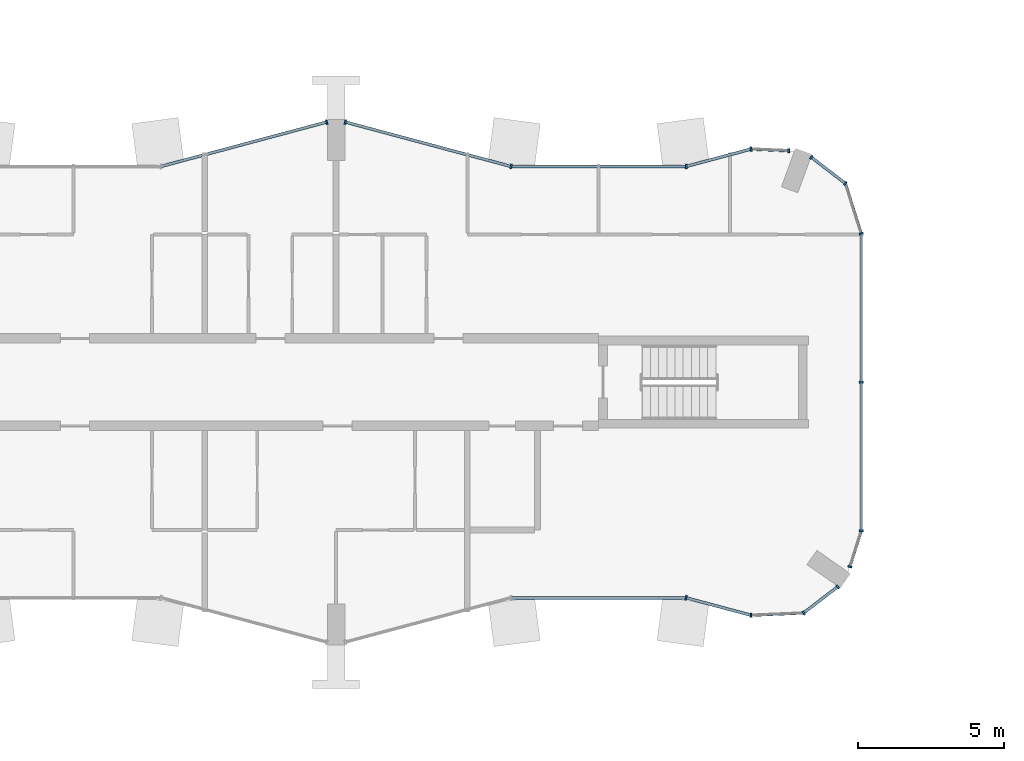
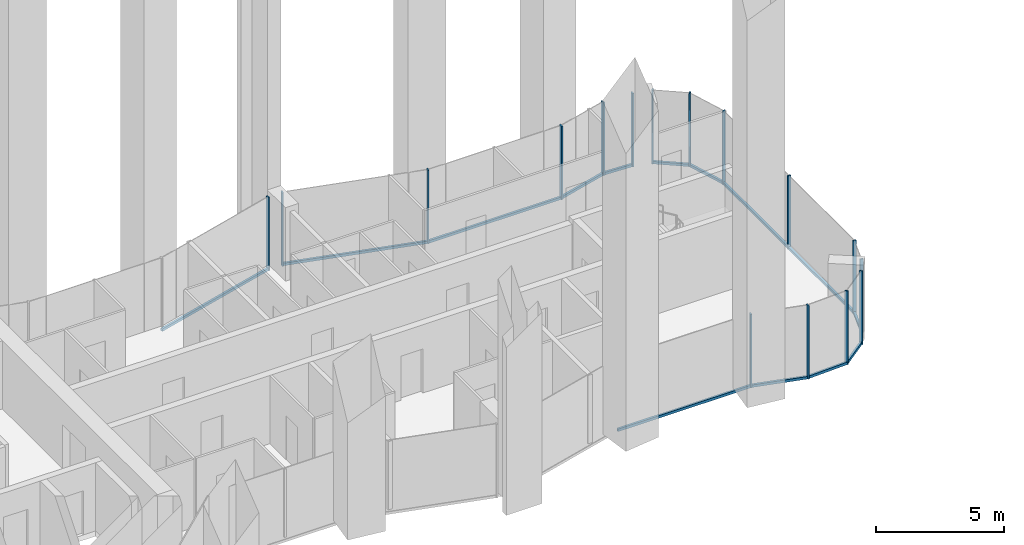
# One storey, part 5 of 27: 29 members, 13 elements without a shape of their own.
"""IFC4 building model written with IfcOpenShell, lengths in metres."""

from ifc_helpers import new_model, si_unit, direction, frame, origin, origin_2d, place, context, subcontext, project, spatial, rectangle, extrude, material, layer, layer_set, material_profile, profile_set, type_object, element, aggregate, save


model = new_model("IFC4")

# Units and contexts
model_context = context("Model", 3, precision=1e-05, world=origin(), true_north=direction((0.0, 1.0)))
body_context = subcontext(model_context, "Body", "Model", "MODEL_VIEW")
ifc_project = project(units=[si_unit("LENGTHUNIT", "METRE"), si_unit("AREAUNIT", "SQUARE_METRE"), si_unit("VOLUMEUNIT", "CUBIC_METRE"), si_unit("PLANEANGLEUNIT", "RADIAN"), si_unit("MASSUNIT", "GRAM", prefix="KILO")], contexts=[model_context])

# Site, building, storey
site_placement = place(None, origin())
site = spatial("IfcSite", under=ifc_project, at=site_placement, CompositionType="ELEMENT")
building_placement = place(site_placement, origin())
building = spatial("IfcBuilding", under=site, at=building_placement, Name="Plateau Cross Towers", CompositionType="ELEMENT")
storey_placement = place(building_placement, frame((0.0, 0.0, 78.300048828125)))
storey = spatial("IfcBuildingStorey", under=building, at=storey_placement, Name="L19", CompositionType="ELEMENT", Elevation=78.300048828125)

# Curtain wall, member
ifc_material_1 = material(Name="Dark low-iron glass", Category="glass")
ifc_layer_1 = layer(ifc_material_1, 0.239990234375)
ifc_layer_set_1 = layer_set([ifc_layer_1], Name="Dark low-iron glass")
curtain_wall_type_1 = type_object("IfcCurtainWallType", Name="Curtain wall flush unitised CW-B", PredefinedType="NOTDEFINED", material=ifc_layer_set_1)
curtain_wall_1_placement = place(storey_placement, origin())
curtain_wall_1 = element("IfcCurtainWall", 1, at=curtain_wall_1_placement, inside=storey, type_object=curtain_wall_type_1, Name="ENV/A/L19/A502_10", PredefinedType="NOTDEFINED")
ifc_material_2 = material(Name="Black anodised aluminium", Category="aluminium")
ifc_material_profile_1 = material_profile(ifc_material_2, rectangle(XDim=0.06005859375, YDim=0.139892578125, at=origin_2d()), Name="MULLION 60x140")
ifc_profile_set_1 = profile_set([ifc_material_profile_1], Name="Black anodised aluminium")
member_type_1 = type_object("IfcMemberType", Name="Mullion 60x140 flush unitised", PredefinedType="MULLION", material=ifc_profile_set_1)
member_1_placement = place(storey_placement, frame((50.223876953125, 1.01123046875, -0.25), z_axis=(0.0, 0.0, 1.0), x_axis=(0.999043701491, 0.043722791671, 0.0)))
member_1 = element("IfcMember", 2, at=member_1_placement, type_object=member_type_1, Name="CW-B mullion 1", PredefinedType="MULLION", context=body_context, shape_type="SweptSolid", body=[
    extrude(rectangle(XDim=0.06005859375, YDim=0.139892578125, at=origin_2d()), origin(), (0.0, 0.0, 1.0), 3.5),
])

# Curtain wall, members
curtain_wall_2_placement = place(storey_placement, origin())
curtain_wall_2 = element("IfcCurtainWall", 3, at=curtain_wall_2_placement, inside=storey, type_object=curtain_wall_type_1, Name="ENV/A/L19/A520_11", PredefinedType="NOTDEFINED")
member_2_placement = place(storey_placement, frame((52.0263671875, 1.090087890625, -0.25), z_axis=(0.0, 0.0, 1.0), x_axis=(0.793315514529, 0.608810721331, 0.0)))
member_2 = element("IfcMember", 4, at=member_2_placement, type_object=member_type_1, Name="CW-B mullion 1", PredefinedType="MULLION", context=body_context, shape_type="SweptSolid", body=[
    extrude(rectangle(XDim=0.06005859375, YDim=0.139892578125, at=origin_2d()), origin(), (0.0, 0.0, 1.0), 3.5),
])
member_3_placement = place(storey_placement, frame((53.193603515625, 1.986083984375, -0.25), z_axis=(0.0, 0.0, 1.0), x_axis=(0.793315514529, 0.608810721331, 0.0)))
member_3 = element("IfcMember", 5, at=member_3_placement, type_object=member_type_1, Name="CW-B mullion 2", PredefinedType="MULLION", context=body_context, shape_type="SweptSolid", body=[
    extrude(rectangle(XDim=0.06005859375, YDim=0.139892578125, at=origin_2d()), origin(), (0.0, 0.0, 1.0), 3.5),
])

# Curtain wall, member
curtain_wall_3_placement = place(storey_placement, origin())
curtain_wall_3 = element("IfcCurtainWall", 6, at=curtain_wall_3_placement, inside=storey, type_object=curtain_wall_type_1, Name="ENV/A/L19/A536_27", PredefinedType="NOTDEFINED")
member_4_placement = place(storey_placement, frame((53.611083984375, 2.67529296875, -0.25), z_axis=(0.0, 0.0, 1.0), x_axis=(0.300686174994, 0.95372313811, 0.0)))
member_4 = element("IfcMember", 7, at=member_4_placement, type_object=member_type_1, Name="CW-B mullion 1", PredefinedType="MULLION", context=body_context, shape_type="SweptSolid", body=[
    extrude(rectangle(XDim=0.06005859375, YDim=0.139892578125, at=origin_2d()), origin(), (0.0, 0.0, 1.0), 3.5),
])

# Curtain wall, members
curtain_wall_4_placement = place(storey_placement, origin())
curtain_wall_4 = element("IfcCurtainWall", 8, at=curtain_wall_4_placement, inside=storey, type_object=curtain_wall_type_1, Name="ENV/A/L19/A540_39", PredefinedType="NOTDEFINED")
member_5_placement = place(storey_placement, frame((54.0, 3.9091796875, -0.25), z_axis=(0.0, 0.0, 1.0), x_axis=(0.0, 1.0, 0.0)))
member_5 = element("IfcMember", 9, at=member_5_placement, type_object=member_type_1, Name="CW-B mullion 1", PredefinedType="MULLION", context=body_context, shape_type="SweptSolid", body=[
    extrude(rectangle(XDim=0.06005859375, YDim=0.139892578125, at=origin_2d()), origin(), (0.0, 0.0, 1.0), 3.5),
])
member_6_placement = place(storey_placement, frame((54.0, 9.0, -0.25), z_axis=(0.0, 0.0, 1.0), x_axis=(0.0, 1.0, 0.0)))
member_6 = element("IfcMember", 10, at=member_6_placement, type_object=member_type_1, Name="CW-B mullion 2", PredefinedType="MULLION", context=body_context, shape_type="SweptSolid", body=[
    extrude(rectangle(XDim=0.06005859375, YDim=0.139892578125, at=origin_2d()), origin(), (0.0, 0.0, 1.0), 3.5),
])

# Curtain wall, member
curtain_wall_5_placement = place(storey_placement, origin())
curtain_wall_5 = element("IfcCurtainWall", 11, at=curtain_wall_5_placement, inside=storey, type_object=curtain_wall_type_1, Name="ENV/A/L19/A540_141", PredefinedType="NOTDEFINED")
member_7_placement = place(storey_placement, frame((54.0, 14.0908203125, -0.25), z_axis=(0.0, 0.0, 1.0), x_axis=(-0.300686174994, 0.95372313811, 0.0)))
member_7 = element("IfcMember", 12, at=member_7_placement, type_object=member_type_1, Name="CW-B mullion 1", PredefinedType="MULLION", context=body_context, shape_type="SweptSolid", body=[
    extrude(rectangle(XDim=0.06005859375, YDim=0.139892578125, at=origin_2d()), origin(), (0.0, 0.0, 1.0), 3.5),
])

# Curtain wall, members
curtain_wall_6_placement = place(storey_placement, origin())
curtain_wall_6 = element("IfcCurtainWall", 13, at=curtain_wall_6_placement, inside=storey, type_object=curtain_wall_type_1, Name="ENV/A/L19/A535_158", PredefinedType="NOTDEFINED")
member_8_placement = place(storey_placement, frame((53.45751953125, 15.8115234375, -0.25), z_axis=(0.0, 0.0, 1.0), x_axis=(-0.793315514529, 0.608810721331, 0.0)))
member_8 = element("IfcMember", 14, at=member_8_placement, type_object=member_type_1, Name="CW-B mullion 1", PredefinedType="MULLION", context=body_context, shape_type="SweptSolid", body=[
    extrude(rectangle(XDim=0.06005859375, YDim=0.139892578125, at=origin_2d()), origin(), (0.0, 0.0, 1.0), 3.5),
])
member_9_placement = place(storey_placement, frame((52.290283203125, 16.707275390625, -0.25), z_axis=(0.0, 0.0, 1.0), x_axis=(-0.793315514529, 0.608810721331, 0.0)))
member_9 = element("IfcMember", 15, at=member_9_placement, type_object=member_type_1, Name="CW-B mullion 2", PredefinedType="MULLION", context=body_context, shape_type="SweptSolid", body=[
    extrude(rectangle(XDim=0.06005859375, YDim=0.139892578125, at=origin_2d()), origin(), (0.0, 0.0, 1.0), 3.5),
])

# Curtain wall, member
curtain_wall_7_placement = place(storey_placement, origin())
curtain_wall_7 = element("IfcCurtainWall", 16, at=curtain_wall_7_placement, inside=storey, type_object=curtain_wall_type_1, Name="ENV/A/L19/A515_169", PredefinedType="NOTDEFINED")
member_10_placement = place(storey_placement, frame((51.516357421875, 16.93212890625, -0.25), z_axis=(0.0, 0.0, 1.0), x_axis=(-0.999043701491, 0.043722791671, 0.0)))
member_10 = element("IfcMember", 17, at=member_10_placement, type_object=member_type_1, Name="CW-B mullion 1", PredefinedType="MULLION", context=body_context, shape_type="SweptSolid", body=[
    extrude(rectangle(XDim=0.06005859375, YDim=0.139892578125, at=origin_2d()), origin(), (0.0, 0.0, 1.0), 3.5),
])

ifc_layer_2 = layer(ifc_material_1, 0.260009765625)
ifc_layer_set_2 = layer_set([ifc_layer_2], Name="Dark low-iron glass")
curtain_wall_type_2 = type_object("IfcCurtainWallType", Name="Curtain wall fluted unitised CW-A", PredefinedType="NOTDEFINED", material=ifc_layer_set_2)
curtain_wall_8_placement = place(storey_placement, origin())
curtain_wall_8 = element("IfcCurtainWall", 18, at=curtain_wall_8_placement, inside=storey, type_object=curtain_wall_type_2, Name="ENV/A/L19/A480_16", PredefinedType="NOTDEFINED")
ifc_material_profile_2 = material_profile(ifc_material_2, rectangle(XDim=0.06005859375, YDim=0.159912109375, at=origin_2d()), Name="MULLION 60x160")
ifc_profile_set_2 = profile_set([ifc_material_profile_2], Name="Black anodised aluminium")
member_type_2 = type_object("IfcMemberType", Name="Mullion 60x160 fluted unitised", PredefinedType="MULLION", material=ifc_profile_set_2)
member_11_placement = place(storey_placement, frame((48.0, 1.60693359375, -0.25), z_axis=(0.0, 0.0, 1.0), x_axis=(0.965957962328, -0.258699081978, 0.0)))
member_11 = element("IfcMember", 19, at=member_11_placement, type_object=member_type_2, Name="CW-A mullion 1", PredefinedType="MULLION", context=body_context, shape_type="SweptSolid", body=[
    extrude(rectangle(XDim=0.06005859375, YDim=0.159912109375, at=origin_2d()), origin(), (0.0, 0.0, 1.0), 3.5),
])

curtain_wall_9_placement = place(storey_placement, origin())
curtain_wall_9 = element("IfcCurtainWall", 20, at=curtain_wall_9_placement, inside=storey, type_object=curtain_wall_type_2, Name="ENV/A/L19/A502_170", PredefinedType="NOTDEFINED")
member_12_placement = place(storey_placement, frame((50.223876953125, 16.98876953125, -0.25), z_axis=(0.0, 0.0, 1.0), x_axis=(-0.965957962328, -0.258699081978, 0.0)))
member_12 = element("IfcMember", 21, at=member_12_placement, type_object=member_type_2, Name="CW-A mullion 1", PredefinedType="MULLION", context=body_context, shape_type="SweptSolid", body=[
    extrude(rectangle(XDim=0.06005859375, YDim=0.159912109375, at=origin_2d()), origin(), (0.0, 0.0, 1.0), 3.5),
])

curtain_wall_10_placement = place(storey_placement, origin())
curtain_wall_10 = element("IfcCurtainWall", 22, at=curtain_wall_10_placement, inside=storey, type_object=curtain_wall_type_2, Name="ENV/A/L19/A480_164", PredefinedType="NOTDEFINED")
member_13_placement = place(storey_placement, frame((48.0, 16.39306640625, -0.25), z_axis=(0.0, 0.0, 1.0), x_axis=(-1.0, 0.0, 0.0)))
member_13 = element("IfcMember", 23, at=member_13_placement, type_object=member_type_2, Name="CW-A mullion 1", PredefinedType="MULLION", context=body_context, shape_type="SweptSolid", body=[
    extrude(rectangle(XDim=0.06005859375, YDim=0.159912109375, at=origin_2d()), origin(), (0.0, 0.0, 1.0), 3.5),
])

# Curtain wall, members
curtain_wall_11_placement = place(storey_placement, origin())
curtain_wall_11 = element("IfcCurtainWall", 24, at=curtain_wall_11_placement, inside=storey, type_object=curtain_wall_type_2, Name="ENV/A/L19/A420_164", PredefinedType="NOTDEFINED")
member_14_placement = place(storey_placement, frame((42.0, 16.39306640625, -0.25), z_axis=(0.0, 0.0, 1.0), x_axis=(-0.965957983404, 0.258699003279, 0.0)))
member_14 = element("IfcMember", 25, at=member_14_placement, type_object=member_type_2, Name="CW-A mullion 1", PredefinedType="MULLION", context=body_context, shape_type="SweptSolid", body=[
    extrude(rectangle(XDim=0.06005859375, YDim=0.159912109375, at=origin_2d()), origin(), (0.0, 0.0, 1.0), 3.5),
])
member_15_placement = place(storey_placement, frame((36.31787109375, 17.914794921875, -0.25), z_axis=(0.0, 0.0, 1.0), x_axis=(-0.965957983404, 0.258699003279, 0.0)))
member_15 = element("IfcMember", 26, at=member_15_placement, type_object=member_type_2, Name="CW-A mullion 2", PredefinedType="MULLION", context=body_context, shape_type="SweptSolid", body=[
    extrude(rectangle(XDim=0.06005859375, YDim=0.159912109375, at=origin_2d()), origin(), (0.0, 0.0, 1.0), 3.5),
])

# Curtain wall, member
curtain_wall_12_placement = place(storey_placement, origin())
curtain_wall_12 = element("IfcCurtainWall", 27, at=curtain_wall_12_placement, inside=storey, type_object=curtain_wall_type_2, Name="ENV/A/L19/A357_179", PredefinedType="NOTDEFINED")
member_16_placement = place(storey_placement, frame((35.68212890625, 17.914794921875, -0.25), z_axis=(0.0, 0.0, 1.0), x_axis=(-0.965957983404, -0.258699003279, 0.0)))
member_16 = element("IfcMember", 28, at=member_16_placement, type_object=member_type_2, Name="CW-A mullion 1", PredefinedType="MULLION", context=body_context, shape_type="SweptSolid", body=[
    extrude(rectangle(XDim=0.06005859375, YDim=0.159912109375, at=origin_2d()), origin(), (0.0, 0.0, 1.0), 3.5),
])

# Member
ifc_material_profile_3 = material_profile(ifc_material_2, rectangle(XDim=0.10009765625, YDim=0.1201171875, at=origin_2d()), Name="TRANSOM 100x120")
ifc_profile_set_3 = profile_set([ifc_material_profile_3], Name="Black anodised aluminium")
member_type_3 = type_object("IfcMemberType", Name="Transom 100x120 flush unitised", PredefinedType="USERDEFINED", material=ifc_profile_set_3)
member_17_placement = place(storey_placement, frame((50.223876953125, 1.01123046875, -0.18994140625), z_axis=(0.999044377355, 0.043707345779, 0.0), x_axis=(-0.043707345779, 0.999044377355, 0.0)))
member_17 = element("IfcMember", 29, at=member_17_placement, type_object=member_type_3, Name="CW-B transom", ObjectType="TRANSOM", PredefinedType="USERDEFINED", context=body_context, shape_type="SweptSolid", body=[
    extrude(rectangle(XDim=0.10009765625, YDim=0.1201171875, at=origin_2d()), origin(), (0.0, 0.0, 1.0), 1.80419921875),
])

aggregate(curtain_wall_1, [member_1, member_17])

member_18_placement = place(storey_placement, frame((52.0263671875, 1.090087890625, -0.18994140625), z_axis=(0.793240368515, 0.608908628415, 0.0), x_axis=(-0.608908628415, 0.793240368515, 0.0)))
member_18 = element("IfcMember", 30, at=member_18_placement, type_object=member_type_3, Name="CW-B transom", ObjectType="TRANSOM", PredefinedType="USERDEFINED", context=body_context, shape_type="SweptSolid", body=[
    extrude(rectangle(XDim=0.10009765625, YDim=0.1201171875, at=origin_2d()), origin(), (0.0, 0.0, 1.0), 1.471435546875),
])

aggregate(curtain_wall_2, [member_2, member_3, member_18])

member_19_placement = place(storey_placement, frame((53.611083984375, 2.67529296875, -0.18994140625), z_axis=(0.300616528216, 0.953745093284, 0.0), x_axis=(-0.953745093284, 0.300616528216, 0.0)))
member_19 = element("IfcMember", 31, at=member_19_placement, type_object=member_type_3, Name="CW-B transom", ObjectType="TRANSOM", PredefinedType="USERDEFINED", context=body_context, shape_type="SweptSolid", body=[
    extrude(rectangle(XDim=0.10009765625, YDim=0.1201171875, at=origin_2d()), origin(), (0.0, 0.0, 1.0), 1.293701171875),
])

aggregate(curtain_wall_3, [member_4, member_19])

member_20_placement = place(storey_placement, frame((54.0, 3.9091796875, -0.18994140625), z_axis=(0.0, 1.0, 0.0), x_axis=(-1.0, 0.0, 0.0)))
member_20 = element("IfcMember", 32, at=member_20_placement, type_object=member_type_3, Name="CW-B transom", ObjectType="TRANSOM", PredefinedType="USERDEFINED", context=body_context, shape_type="SweptSolid", body=[
    extrude(rectangle(XDim=0.10009765625, YDim=0.1201171875, at=origin_2d()), origin(), (0.0, 0.0, 1.0), 10.181640625),
])

aggregate(curtain_wall_4, [member_5, member_6, member_20])

member_21_placement = place(storey_placement, frame((54.0, 14.0908203125, -0.18994140625), z_axis=(-0.30067799945, 0.953725715626, 0.0), x_axis=(-0.953725715626, -0.30067799945, 0.0)))
member_21 = element("IfcMember", 33, at=member_21_placement, type_object=member_type_3, Name="CW-B transom", ObjectType="TRANSOM", PredefinedType="USERDEFINED", context=body_context, shape_type="SweptSolid", body=[
    extrude(rectangle(XDim=0.10009765625, YDim=0.1201171875, at=origin_2d()), origin(), (0.0, 0.0, 1.0), 1.80419921875),
])

aggregate(curtain_wall_5, [member_7, member_21])

member_22_placement = place(storey_placement, frame((53.45751953125, 15.8115234375, -0.18994140625), z_axis=(-0.793320508571, 0.608804213751, 0.0), x_axis=(-0.608804213751, -0.793320508571, 0.0)))
member_22 = element("IfcMember", 34, at=member_22_placement, type_object=member_type_3, Name="CW-B transom", ObjectType="TRANSOM", PredefinedType="USERDEFINED", context=body_context, shape_type="SweptSolid", body=[
    extrude(rectangle(XDim=0.10009765625, YDim=0.1201171875, at=origin_2d()), origin(), (0.0, 0.0, 1.0), 1.471435546875),
])

aggregate(curtain_wall_6, [member_8, member_9, member_22])

member_23_placement = place(storey_placement, frame((51.516357421875, 16.93212890625, -0.18994140625), z_axis=(-0.999041144614, 0.043781175963, 0.0), x_axis=(-0.043781175963, -0.999041144614, 0.0)))
member_23 = element("IfcMember", 35, at=member_23_placement, type_object=member_type_3, Name="CW-B transom", ObjectType="TRANSOM", PredefinedType="USERDEFINED", context=body_context, shape_type="SweptSolid", body=[
    extrude(rectangle(XDim=0.10009765625, YDim=0.1201171875, at=origin_2d()), origin(), (0.0, 0.0, 1.0), 1.293701171875),
])

aggregate(curtain_wall_7, [member_10, member_23])

# Curtain wall, member
curtain_wall_13_placement = place(storey_placement, origin())
curtain_wall_13 = element("IfcCurtainWall", 36, at=curtain_wall_13_placement, inside=storey, type_object=curtain_wall_type_2, Name="ENV/A/L19/A420_16", PredefinedType="NOTDEFINED")
ifc_material_profile_4 = material_profile(ifc_material_2, rectangle(XDim=0.10009765625, YDim=0.1201171875, at=origin_2d()), Name="TRANSOM 100x120")
ifc_profile_set_4 = profile_set([ifc_material_profile_4], Name="Black anodised aluminium")
member_type_4 = type_object("IfcMemberType", Name="Transom 100x120 fluted unitised", PredefinedType="USERDEFINED", material=ifc_profile_set_4)
member_24_placement = place(storey_placement, frame((42.0, 1.60693359375, -0.18994140625), z_axis=(1.0, 0.0, 0.0), x_axis=(0.0, 1.0, 0.0)))
member_24 = element("IfcMember", 37, at=member_24_placement, type_object=member_type_4, Name="CW-A transom", ObjectType="TRANSOM", PredefinedType="USERDEFINED", context=body_context, shape_type="SweptSolid", body=[
    extrude(rectangle(XDim=0.10009765625, YDim=0.1201171875, at=origin_2d()), origin(), (0.0, 0.0, 1.0), 6.0),
])
aggregate(curtain_wall_13, [member_24])

# Member
member_25_placement = place(storey_placement, frame((48.0, 1.60693359375, -0.18994140625), z_axis=(0.965945685136, -0.258744919501, 0.0), x_axis=(0.258744919501, 0.965945685136, 0.0)))
member_25 = element("IfcMember", 38, at=member_25_placement, type_object=member_type_4, Name="CW-A transom", ObjectType="TRANSOM", PredefinedType="USERDEFINED", context=body_context, shape_type="SweptSolid", body=[
    extrude(rectangle(XDim=0.10009765625, YDim=0.1201171875, at=origin_2d()), origin(), (0.0, 0.0, 1.0), 2.30224609375),
])

aggregate(curtain_wall_8, [member_11, member_25])

member_26_placement = place(storey_placement, frame((50.223876953125, 16.98876953125, -0.18994140625), z_axis=(-0.965945685136, -0.258744919501, 0.0), x_axis=(0.258744919501, -0.965945685136, 0.0)))
member_26 = element("IfcMember", 39, at=member_26_placement, type_object=member_type_4, Name="CW-A transom", ObjectType="TRANSOM", PredefinedType="USERDEFINED", context=body_context, shape_type="SweptSolid", body=[
    extrude(rectangle(XDim=0.10009765625, YDim=0.1201171875, at=origin_2d()), origin(), (0.0, 0.0, 1.0), 2.30224609375),
])

aggregate(curtain_wall_9, [member_12, member_26])

member_27_placement = place(storey_placement, frame((48.0, 16.39306640625, -0.18994140625), z_axis=(-1.0, 0.0, 0.0), x_axis=(0.0, -1.0, 0.0)))
member_27 = element("IfcMember", 40, at=member_27_placement, type_object=member_type_4, Name="CW-A transom", ObjectType="TRANSOM", PredefinedType="USERDEFINED", context=body_context, shape_type="SweptSolid", body=[
    extrude(rectangle(XDim=0.10009765625, YDim=0.1201171875, at=origin_2d()), origin(), (0.0, 0.0, 1.0), 6.0),
])

aggregate(curtain_wall_10, [member_13, member_27])

member_28_placement = place(storey_placement, frame((42.0, 16.39306640625, -0.18994140625), z_axis=(-0.965959534794, 0.258693210465, 0.0), x_axis=(-0.258693210465, -0.965959534794, 0.0)))
member_28 = element("IfcMember", 41, at=member_28_placement, type_object=member_type_4, Name="CW-A transom", ObjectType="TRANSOM", PredefinedType="USERDEFINED", context=body_context, shape_type="SweptSolid", body=[
    extrude(rectangle(XDim=0.10009765625, YDim=0.1201171875, at=origin_2d()), origin(), (0.0, 0.0, 1.0), 5.88232421875),
])

aggregate(curtain_wall_11, [member_14, member_15, member_28])

member_29_placement = place(storey_placement, frame((35.68212890625, 17.914794921875, -0.18994140625), z_axis=(-0.965959534794, -0.258693210465, 0.0), x_axis=(0.258693210465, -0.965959534794, 0.0)))
member_29 = element("IfcMember", 42, at=member_29_placement, type_object=member_type_4, Name="CW-A transom", ObjectType="TRANSOM", PredefinedType="USERDEFINED", context=body_context, shape_type="SweptSolid", body=[
    extrude(rectangle(XDim=0.10009765625, YDim=0.1201171875, at=origin_2d()), origin(), (0.0, 0.0, 1.0), 5.88232421875),
])

aggregate(curtain_wall_12, [member_16, member_29])

save(model, "model.ifc")
